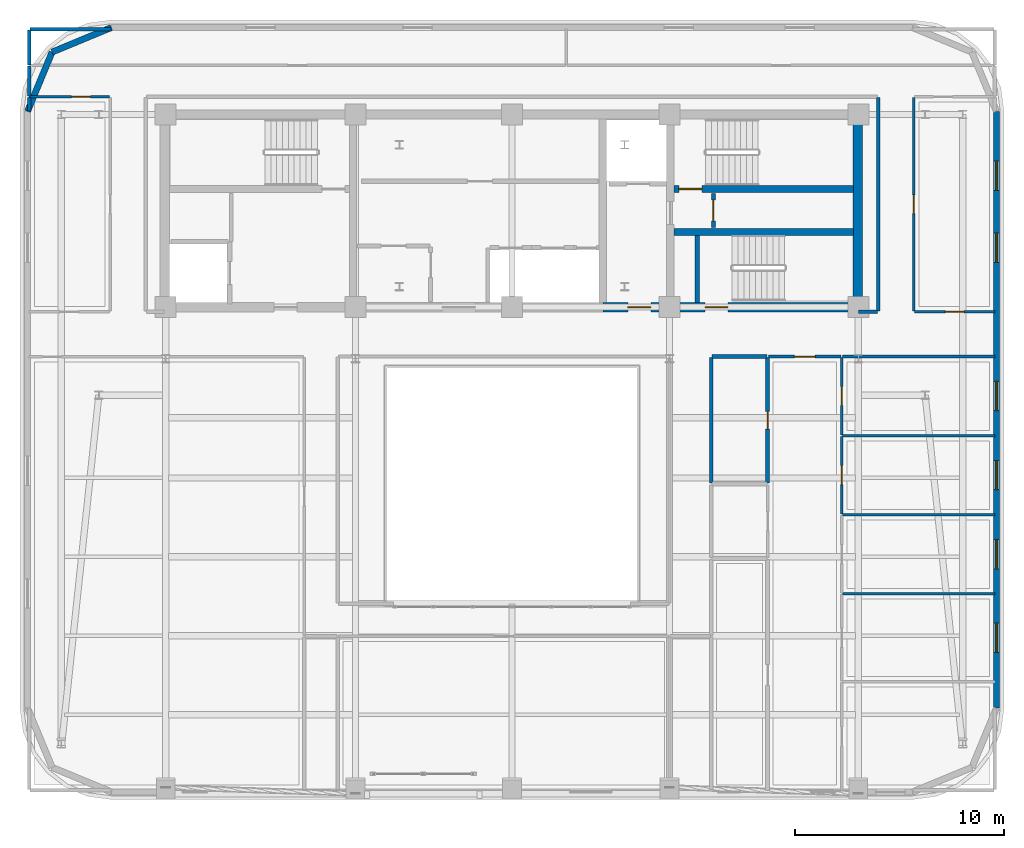
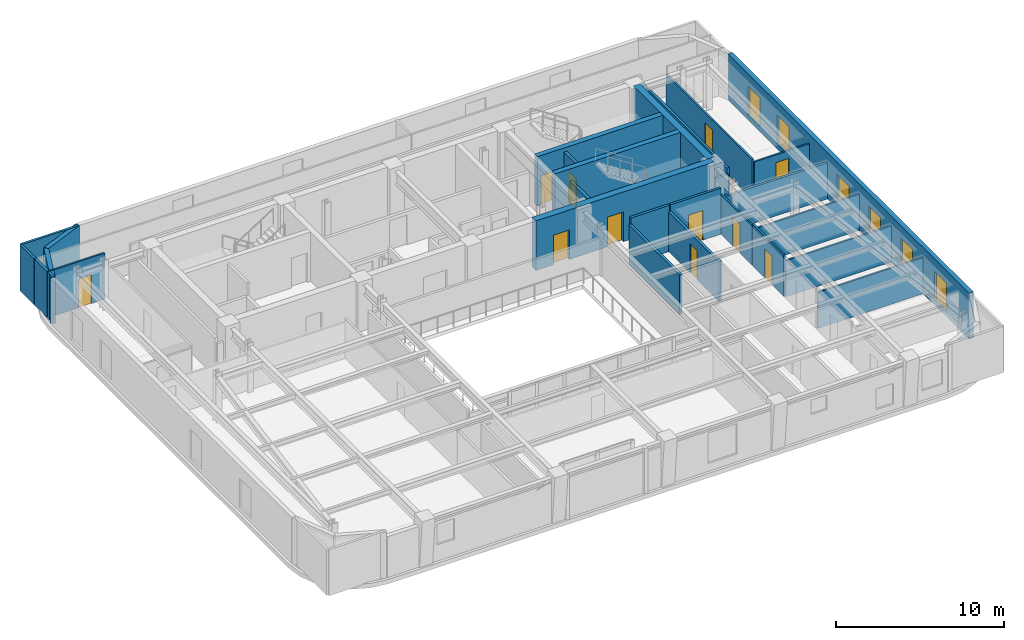
# One storey, part 8 of 13: 28 walls, 11 doors, 6 windows, 17 openings.
"""IFC4 building model written with IfcOpenShell, lengths in metres."""

from ifc_helpers import new_model, si_unit, direction, frame, frame_2d, origin, place, context, subcontext, project, spatial, rectangle, extrude, material, layer, layer_set, type_object, element, fill, save


model = new_model("IFC4")

# Units and contexts
model_context = context("Model", 3, precision=1e-05, world=origin(), true_north=direction((0.0, 1.0)))
body_context = subcontext(model_context, "Body", "Model", "MODEL_VIEW")
ifc_project = project(units=[si_unit("LENGTHUNIT", "METRE"), si_unit("AREAUNIT", "SQUARE_METRE"), si_unit("VOLUMEUNIT", "CUBIC_METRE"), si_unit("PLANEANGLEUNIT", "RADIAN"), si_unit("MASSUNIT", "GRAM", prefix="KILO")], contexts=[model_context])

# Site, building, storey
site_placement = place(None, origin())
site = spatial("IfcSite", under=ifc_project, at=site_placement, CompositionType="ELEMENT")
building_placement = place(site_placement, origin())
building = spatial("IfcBuilding", under=site, at=building_placement, Name="Zarnavel Station Tower", CompositionType="ELEMENT")
storey_placement = place(building_placement, frame((0.0, 0.0, 236.39990234375)))
storey = spatial("IfcBuildingStorey", under=building, at=storey_placement, Name="L64", CompositionType="ELEMENT", Elevation=236.39990234375)

# Wall, opening, door
ifc_material_1 = material(Name="Concrete C50/60", Category="concrete")
ifc_layer_1 = layer(ifc_material_1, 0.35009765625)
ifc_layer_set_1 = layer_set([ifc_layer_1], Name="CW_350")
wall_type_1 = type_object("IfcWallType", Name="CW_350", PredefinedType="SHEAR", material=ifc_layer_set_1)
wall_1_placement = place(storey_placement, frame((45.155029296875, 33.47998046875, 0.0), z_axis=(0.0, 0.0, 1.0), x_axis=(-1.0, 0.0, 0.0)))
wall_1 = element("IfcWall", 1, at=wall_1_placement, inside=storey, type_object=wall_type_1, Name="L64 Rear Core Shear Wall DIV-H2", PredefinedType="SHEAR", context=body_context, shape_type="SweptSolid", body=[
    extrude(rectangle(XDim=8.60009765625, YDim=0.35009765625, at=frame_2d((4.300048828125, 0.0))), origin(), (0.0, 0.0, 1.0), 3.60009765625),
])
opening_1_placement = place(wall_1_placement, frame((7.2548828125, 0.0, 0.0)))
opening_1 = element("IfcOpeningElement", 2, at=opening_1_placement, cuts=wall_1, Name="Opening FD01", PredefinedType="OPENING", context=body_context, shape_type="SweptSolid", body=[
    extrude(rectangle(XDim=1.10009765625, YDim=2.14990234375, at=frame_2d((0.550048828125, 1.074951171875))), frame((0.0, 0.18505859375, 0.0), z_axis=(0.0, -1.0, 0.0), x_axis=(1.0, 0.0, 0.0)), (0.0, 0.0, 1.0), 0.3701171875),
])
ifc_material_2 = material(Name="Painted Galvanised Steel and Hardwood Leaf", Category="steel")
door_type_1 = type_object("IfcDoorType", Name="ID_STAIR_1100", OperationType="NOTDEFINED", PredefinedType="DOOR", material=ifc_material_2)
door_1_placement = place(opening_1_placement, origin())
door_1 = element("IfcDoor", 3, at=door_1_placement, inside=storey, type_object=door_type_1, Name="L64 Stair ST2 Lobby Fire Door", OperationType="SINGLE_SWING_RIGHT", OverallHeight=2.14990234375, OverallWidth=1.10009765625, PredefinedType="DOOR", context=body_context, shape_type="SweptSolid", body=[
    extrude(rectangle(XDim=1.10009765625, YDim=2.14990234375, at=frame_2d((0.550048828125, 1.074951171875))), frame((0.0, 0.02490234375, 0.0), z_axis=(0.0, -1.0, 0.0), x_axis=(1.0, 0.0, 0.0)), (0.0, 0.0, 1.0), 0.050048828125),
])
fill(opening_1, door_1)

# Wall
wall_2_placement = place(storey_placement, frame((36.554931640625, 31.419921875, 0.0), z_axis=(0.0, 0.0, 1.0), x_axis=(1.0, 0.0, 0.0)))
element("IfcWall", 4, at=wall_2_placement, inside=storey, type_object=wall_type_1, Name="L64 Rear Core Shear Wall DIV-H3", PredefinedType="SHEAR", context=body_context, shape_type="SweptSolid", body=[
    extrude(rectangle(XDim=8.60009765625, YDim=0.35009765625, at=frame_2d((4.300048828125, 0.0))), origin(), (0.0, 0.0, 1.0), 3.60009765625),
])

# Wall, openings, doors
ifc_material_3 = material(Name="Concrete C50/60", Category="concrete")
ifc_layer_2 = layer(ifc_material_3, 0.449951171875)
ifc_layer_set_2 = layer_set([ifc_layer_2], Name="CW_450")
wall_type_2 = type_object("IfcWallType", Name="CW_450", PredefinedType="SHEAR", material=ifc_layer_set_2)
wall_3_placement = place(storey_placement, frame((45.3798828125, 27.820068359375, 0.0), z_axis=(0.0, 0.0, 1.0), x_axis=(-1.0, 0.0, 0.0)))
wall_3 = element("IfcWall", 5, at=wall_3_placement, inside=storey, type_object=wall_type_2, Name="L64 Rear Core Shear Wall S-E", PredefinedType="SHEAR", context=body_context, shape_type="SweptSolid", body=[
    extrude(rectangle(XDim=12.22998046875, YDim=0.449951171875, at=frame_2d((6.114990234375, 0.0))), origin(), (0.0, 0.0, 1.0), 3.60009765625),
])
opening_2_placement = place(wall_3_placement, frame((9.929931640625, 0.0, 0.0)))
opening_2 = element("IfcOpeningElement", 6, at=opening_2_placement, cuts=wall_3, Name="Opening FD01", PredefinedType="OPENING", context=body_context, shape_type="SweptSolid", body=[
    extrude(rectangle(XDim=1.10009765625, YDim=2.14990234375, at=frame_2d((0.550048828125, 1.074951171875))), frame((0.0, 0.23486328125, 0.0), z_axis=(0.0, -1.0, 0.0), x_axis=(1.0, 0.0, 0.0)), (0.0, 0.0, 1.0), 0.469970703125),
])
opening_3_placement = place(wall_3_placement, frame((6.22998046875, 0.0, 0.0)))
opening_3 = element("IfcOpeningElement", 7, at=opening_3_placement, cuts=wall_3, Name="Opening FD01", PredefinedType="OPENING", context=body_context, shape_type="SweptSolid", body=[
    extrude(rectangle(XDim=1.10009765625, YDim=2.14990234375, at=frame_2d((0.550048828125, 1.074951171875))), frame((0.0, 0.23486328125, 0.0), z_axis=(0.0, -1.0, 0.0), x_axis=(1.0, 0.0, 0.0)), (0.0, 0.0, 1.0), 0.469970703125),
])
door_2_placement = place(opening_2_placement, origin())
door_2 = element("IfcDoor", 8, at=door_2_placement, inside=storey, type_object=door_type_1, Name="L64 East Firefighting Lobby Door", OperationType="SINGLE_SWING_LEFT", OverallHeight=2.14990234375, OverallWidth=1.10009765625, PredefinedType="DOOR", context=body_context, shape_type="SweptSolid", body=[
    extrude(rectangle(XDim=1.10009765625, YDim=2.14990234375, at=frame_2d((0.550048828125, 1.074951171875))), frame((0.0, 0.02490234375, 0.0), z_axis=(0.0, -1.0, 0.0), x_axis=(1.0, 0.0, 0.0)), (0.0, 0.0, 1.0), 0.050048828125),
])
fill(opening_2, door_2)
door_3_placement = place(opening_3_placement, origin())
door_3 = element("IfcDoor", 9, at=door_3_placement, inside=storey, type_object=door_type_1, Name="L64 Stair ST3 Corridor Fire Door", OperationType="SINGLE_SWING_RIGHT", OverallHeight=2.14990234375, OverallWidth=1.10009765625, PredefinedType="DOOR", context=body_context, shape_type="SweptSolid", body=[
    extrude(rectangle(XDim=1.10009765625, YDim=2.14990234375, at=frame_2d((0.550048828125, 1.074951171875))), frame((0.0, 0.02490234375, 0.0), z_axis=(0.0, -1.0, 0.0), x_axis=(1.0, 0.0, 0.0)), (0.0, 0.0, 1.0), 0.050048828125),
])
fill(opening_3, door_3)

# Wall
wall_4_placement = place(storey_placement, frame((45.3798828125, 28.044921875, 0.0), z_axis=(0.0, 0.0, 1.0), x_axis=(0.0, 1.0, 0.0)))
element("IfcWall", 10, at=wall_4_placement, inside=storey, type_object=wall_type_2, Name="L64 Rear Core Shear Wall E", PredefinedType="SHEAR", context=body_context, shape_type="SweptSolid", body=[
    extrude(rectangle(XDim=8.780029296875, YDim=0.449951171875, at=frame_2d((4.39013671875, 0.0))), origin(), (0.0, 0.0, 1.0), 3.60009765625),
])

# Wall, openings, windows
ifc_material_4 = material(Name="Precast concrete C45/55 (Dark Basalt Finish)", Category="masonry")
ifc_layer_3 = layer(ifc_material_4, 0.300048828125)
ifc_layer_set_3 = layer_set([ifc_layer_3], Name="EW_BASALT_300")
wall_type_3 = type_object("IfcWallType", Name="EW_BASALT_300", PredefinedType="SOLIDWALL", material=ifc_layer_set_3)
wall_5_placement = place(storey_placement, frame((52.02001953125, 37.199951171875, 0.0), z_axis=(0.0, 0.0, 1.0), x_axis=(0.0, -1.0, 0.0)))
wall_5 = element("IfcWall", 11, at=wall_5_placement, inside=storey, type_object=wall_type_3, Name="L64 Exterior Basalt Masonry Frame Wall 03", PredefinedType="SOLIDWALL", context=body_context, shape_type="SweptSolid", body=[
    extrude(rectangle(XDim=28.599853515625, YDim=0.300048828125, at=frame_2d((14.2998046875, 0.0))), origin(), (0.0, 0.0, 1.0), 3.340087890625),
])
opening_4_placement = place(wall_5_placement, frame((2.3798828125, 0.0, 0.340087890625)))
opening_4 = element("IfcOpeningElement", 12, at=opening_4_placement, cuts=wall_5, Name="Opening WN04", PredefinedType="OPENING", context=body_context, shape_type="SweptSolid", body=[
    extrude(rectangle(XDim=1.39990234375, YDim=2.10009765625, at=frame_2d((0.699951171875, 1.050048828125))), frame((0.0, 0.159912109375, 0.0), z_axis=(0.0, -1.0, 0.0), x_axis=(1.0, 0.0, 0.0)), (0.0, 0.0, 1.0), 0.320068359375),
])
opening_5_placement = place(wall_5_placement, frame((5.840087890625, 0.0, 0.340087890625)))
opening_5 = element("IfcOpeningElement", 13, at=opening_5_placement, cuts=wall_5, Name="Opening WN04", PredefinedType="OPENING", context=body_context, shape_type="SweptSolid", body=[
    extrude(rectangle(XDim=1.39990234375, YDim=2.10009765625, at=frame_2d((0.699951171875, 1.050048828125))), frame((0.0, 0.159912109375, 0.0), z_axis=(0.0, -1.0, 0.0), x_axis=(1.0, 0.0, 0.0)), (0.0, 0.0, 1.0), 0.320068359375),
])
opening_6_placement = place(wall_5_placement, frame((24.529052734375, 0.0, 0.340087890625)))
opening_6 = element("IfcOpeningElement", 14, at=opening_6_placement, cuts=wall_5, Name="Opening WN04", PredefinedType="OPENING", context=body_context, shape_type="SweptSolid", body=[
    extrude(rectangle(XDim=1.39990234375, YDim=2.10009765625, at=frame_2d((0.699951171875, 1.050048828125))), frame((0.0, 0.159912109375, 0.0), z_axis=(0.0, -1.0, 0.0), x_axis=(1.0, 0.0, 0.0)), (0.0, 0.0, 1.0), 0.320068359375),
])
opening_7_placement = place(wall_5_placement, frame((20.52099609375, 0.0, 0.340087890625)))
opening_7 = element("IfcOpeningElement", 15, at=opening_7_placement, cuts=wall_5, Name="Opening WN04", PredefinedType="OPENING", context=body_context, shape_type="SweptSolid", body=[
    extrude(rectangle(XDim=1.39990234375, YDim=2.10009765625, at=frame_2d((0.699951171875, 1.050048828125))), frame((0.0, 0.159912109375, 0.0), z_axis=(0.0, -1.0, 0.0), x_axis=(1.0, 0.0, 0.0)), (0.0, 0.0, 1.0), 0.320068359375),
])
opening_8_placement = place(wall_5_placement, frame((16.73291015625, 0.0, 0.340087890625)))
opening_8 = element("IfcOpeningElement", 16, at=opening_8_placement, cuts=wall_5, Name="Opening WN04", PredefinedType="OPENING", context=body_context, shape_type="SweptSolid", body=[
    extrude(rectangle(XDim=1.39990234375, YDim=2.10009765625, at=frame_2d((0.699951171875, 1.050048828125))), frame((0.0, 0.159912109375, 0.0), z_axis=(0.0, -1.0, 0.0), x_axis=(1.0, 0.0, 0.0)), (0.0, 0.0, 1.0), 0.320068359375),
])
opening_9_placement = place(wall_5_placement, frame((12.944580078125, 0.0, 0.340087890625)))
opening_9 = element("IfcOpeningElement", 17, at=opening_9_placement, cuts=wall_5, Name="Opening WN04", PredefinedType="OPENING", context=body_context, shape_type="SweptSolid", body=[
    extrude(rectangle(XDim=1.39990234375, YDim=2.10009765625, at=frame_2d((0.699951171875, 1.050048828125))), frame((0.0, 0.159912109375, 0.0), z_axis=(0.0, -1.0, 0.0), x_axis=(1.0, 0.0, 0.0)), (0.0, 0.0, 1.0), 0.320068359375),
])
ifc_material_5 = material(Name="Thermally Broken Black Aluminium and Low-E Dark Glass", Category="aluminium")
window_type = type_object("IfcWindowType", Name="WN_1400x2100", PartitioningType="DOUBLE_PANEL_VERTICAL", PredefinedType="WINDOW", material=ifc_material_5)
window_1_placement = place(opening_4_placement, origin())
window_1 = element("IfcWindow", 18, at=window_1_placement, inside=storey, type_object=window_type, Name="L64 Recessed Facade Window 01", OverallHeight=2.10009765625, OverallWidth=1.39990234375, PartitioningType="SINGLE_PANEL", PredefinedType="WINDOW", context=body_context, shape_type="SweptSolid", body=[
    extrude(rectangle(XDim=1.39990234375, YDim=2.10009765625, at=frame_2d((0.699951171875, 1.050048828125))), frame((0.0, 0.030029296875, 0.0), z_axis=(0.0, -1.0, 0.0), x_axis=(1.0, 0.0, 0.0)), (0.0, 0.0, 1.0), 0.06005859375),
])
fill(opening_4, window_1)
window_2_placement = place(opening_5_placement, origin())
window_2 = element("IfcWindow", 19, at=window_2_placement, inside=storey, type_object=window_type, Name="L64 Recessed Facade Window 02", OverallHeight=2.10009765625, OverallWidth=1.39990234375, PartitioningType="SINGLE_PANEL", PredefinedType="WINDOW", context=body_context, shape_type="SweptSolid", body=[
    extrude(rectangle(XDim=1.39990234375, YDim=2.10009765625, at=frame_2d((0.699951171875, 1.050048828125))), frame((0.0, 0.030029296875, 0.0), z_axis=(0.0, -1.0, 0.0), x_axis=(1.0, 0.0, 0.0)), (0.0, 0.0, 1.0), 0.06005859375),
])
fill(opening_5, window_2)
window_3_placement = place(opening_6_placement, origin())
window_3 = element("IfcWindow", 20, at=window_3_placement, inside=storey, type_object=window_type, Name="L64 Recessed Facade Window 03", OverallHeight=2.10009765625, OverallWidth=1.39990234375, PartitioningType="SINGLE_PANEL", PredefinedType="WINDOW", context=body_context, shape_type="SweptSolid", body=[
    extrude(rectangle(XDim=1.39990234375, YDim=2.10009765625, at=frame_2d((0.699951171875, 1.050048828125))), frame((0.0, 0.030029296875, 0.0), z_axis=(0.0, -1.0, 0.0), x_axis=(1.0, 0.0, 0.0)), (0.0, 0.0, 1.0), 0.06005859375),
])
fill(opening_6, window_3)
window_4_placement = place(opening_7_placement, origin())
window_4 = element("IfcWindow", 21, at=window_4_placement, inside=storey, type_object=window_type, Name="L64 Recessed Facade Window 04", OverallHeight=2.10009765625, OverallWidth=1.39990234375, PartitioningType="SINGLE_PANEL", PredefinedType="WINDOW", context=body_context, shape_type="SweptSolid", body=[
    extrude(rectangle(XDim=1.39990234375, YDim=2.10009765625, at=frame_2d((0.699951171875, 1.050048828125))), frame((0.0, 0.030029296875, 0.0), z_axis=(0.0, -1.0, 0.0), x_axis=(1.0, 0.0, 0.0)), (0.0, 0.0, 1.0), 0.06005859375),
])
fill(opening_7, window_4)
window_5_placement = place(opening_8_placement, origin())
window_5 = element("IfcWindow", 22, at=window_5_placement, inside=storey, type_object=window_type, Name="L64 Recessed Facade Window 05", OverallHeight=2.10009765625, OverallWidth=1.39990234375, PartitioningType="SINGLE_PANEL", PredefinedType="WINDOW", context=body_context, shape_type="SweptSolid", body=[
    extrude(rectangle(XDim=1.39990234375, YDim=2.10009765625, at=frame_2d((0.699951171875, 1.050048828125))), frame((0.0, 0.030029296875, 0.0), z_axis=(0.0, -1.0, 0.0), x_axis=(1.0, 0.0, 0.0)), (0.0, 0.0, 1.0), 0.06005859375),
])
fill(opening_8, window_5)
window_6_placement = place(opening_9_placement, origin())
window_6 = element("IfcWindow", 23, at=window_6_placement, inside=storey, type_object=window_type, Name="L64 Recessed Facade Window 06", OverallHeight=2.10009765625, OverallWidth=1.39990234375, PartitioningType="SINGLE_PANEL", PredefinedType="WINDOW", context=body_context, shape_type="SweptSolid", body=[
    extrude(rectangle(XDim=1.39990234375, YDim=2.10009765625, at=frame_2d((0.699951171875, 1.050048828125))), frame((0.0, 0.030029296875, 0.0), z_axis=(0.0, -1.0, 0.0), x_axis=(1.0, 0.0, 0.0)), (0.0, 0.0, 1.0), 0.06005859375),
])
fill(opening_9, window_6)

# Walls
wall_6_placement = place(storey_placement, frame((6.75732421875, 40.04248046875, 0.0), z_axis=(0.0, 0.0, 1.0), x_axis=(0.923882414032, 0.382676475685, 0.0)))
element("IfcWall", 24, at=wall_6_placement, inside=storey, type_object=wall_type_3, Name="L64 Exterior Basalt Masonry Frame Wall 07", PredefinedType="SOLIDWALL", context=body_context, shape_type="SweptSolid", body=[
    extrude(rectangle(XDim=3.076904296875, YDim=0.300048828125, at=frame_2d((1.53857421875, 0.0))), origin(), (0.0, 0.0, 1.0), 3.340087890625),
])
wall_7_placement = place(storey_placement, frame((5.580078125, 37.199951171875, 0.0), z_axis=(0.0, 0.0, 1.0), x_axis=(0.382636798336, 0.92389884758, 0.0)))
element("IfcWall", 25, at=wall_7_placement, inside=storey, type_object=wall_type_3, Name="L64 Exterior Basalt Masonry Frame Wall 08", PredefinedType="SOLIDWALL", context=body_context, shape_type="SweptSolid", body=[
    extrude(rectangle(XDim=3.07666015625, YDim=0.300048828125, at=frame_2d((1.538330078125, 0.0))), origin(), (0.0, 0.0, 1.0), 3.340087890625),
])

# Wall, opening, door
ifc_material_6 = material(Name="Gypsum Twin-Stud Acoustic Fire Partition", Category="concrete")
ifc_layer_4 = layer(ifc_material_6, 0.159912109375)
ifc_layer_set_4 = layer_set([ifc_layer_4], Name="PT_DEMISE_160")
wall_type_4 = type_object("IfcWallType", Name="PT_DEMISE_160", PredefinedType="PARTITIONING", material=ifc_layer_set_4)
wall_8_placement = place(storey_placement, frame((41.090087890625, 25.449951171875, 0.0), z_axis=(0.0, 0.0, 1.0), x_axis=(1.0, 0.0, 0.0)))
wall_8 = element("IfcWall", 26, at=wall_8_placement, inside=storey, type_object=wall_type_4, Name="L64 Partition COR-S-UE1LV", PredefinedType="PARTITIONING", context=body_context, shape_type="SweptSolid", body=[
    extrude(rectangle(XDim=3.47900390625, YDim=0.159912109375, at=frame_2d((1.739501953125, 0.0))), origin(), (0.0, 0.0, 1.0), 3.340087890625),
])
opening_10_placement = place(wall_8_placement, frame((1.239501953125, 0.0, 0.0)))
opening_10 = element("IfcOpeningElement", 27, at=opening_10_placement, cuts=wall_8, Name="Opening FD02", PredefinedType="OPENING", context=body_context, shape_type="SweptSolid", body=[
    extrude(rectangle(XDim=1.0, YDim=2.14990234375, at=frame_2d((0.5, 1.074951171875))), frame((0.0, 0.08984375, 0.0), z_axis=(0.0, -1.0, 0.0), x_axis=(1.0, 0.0, 0.0)), (0.0, 0.0, 1.0), 0.179931640625),
])
ifc_material_7 = material(Name="Painted Galvanised Steel and Hardwood Leaf", Category="steel")
door_type_2 = type_object("IfcDoorType", Name="ID_ENTRY_1000", OperationType="NOTDEFINED", PredefinedType="DOOR", material=ifc_material_7)
door_4_placement = place(opening_10_placement, origin())
door_4 = element("IfcDoor", 28, at=door_4_placement, inside=storey, type_object=door_type_2, Name="L64 Door COR-S-UE1LV", OperationType="SINGLE_SWING_LEFT", OverallHeight=2.14990234375, OverallWidth=1.0, PredefinedType="DOOR", context=body_context, shape_type="SweptSolid", body=[
    extrude(rectangle(XDim=1.0, YDim=2.14990234375, at=frame_2d((0.5, 1.074951171875))), frame((0.0, 0.02490234375, 0.0), z_axis=(0.0, -1.0, 0.0), x_axis=(1.0, 0.0, 0.0)), (0.0, 0.0, 1.0), 0.050048828125),
])
fill(opening_10, door_4)

# Walls
wall_9_placement = place(storey_placement, frame((44.64892578125, 25.449951171875, 0.0), z_axis=(0.0, 0.0, 1.0), x_axis=(1.0, 0.0, 0.0)))
element("IfcWall", 29, at=wall_9_placement, inside=storey, type_object=wall_type_4, Name="L64 Partition COR-S-UE1B5", PredefinedType="PARTITIONING", context=body_context, shape_type="SweptSolid", body=[
    extrude(rectangle(XDim=7.291015625, YDim=0.159912109375, at=frame_2d((3.6455078125, 0.0))), origin(), (0.0, 0.0, 1.0), 2.6201171875),
])
wall_10_placement = place(storey_placement, frame((45.409912109375, 27.60009765625, 0.0), z_axis=(0.0, 0.0, 1.0), x_axis=(1.0, 0.0, 0.0)))
element("IfcWall", 30, at=wall_10_placement, inside=storey, type_object=wall_type_4, Name="L64 Enclosure Wall COR-S", PredefinedType="PARTITIONING", context=body_context, shape_type="SweptSolid", body=[
    extrude(rectangle(XDim=0.91015625, YDim=0.159912109375, at=frame_2d((0.455078125, 0.0))), origin(), (0.0, 0.0, 1.0), 2.41015625),
])
wall_11_placement = place(storey_placement, frame((46.35009765625, 27.6298828125, 0.0), z_axis=(0.0, 0.0, 1.0), x_axis=(0.0, 1.0, 0.0)))
element("IfcWall", 31, at=wall_11_placement, inside=storey, type_object=wall_type_4, Name="L64 Enclosure Wall COR-E", PredefinedType="PARTITIONING", context=body_context, shape_type="SweptSolid", body=[
    extrude(rectangle(XDim=10.240234375, YDim=0.159912109375, at=frame_2d((5.1201171875, 0.0))), origin(), (0.0, 0.0, 1.0), 2.820068359375),
])
wall_12_placement = place(storey_placement, frame((5.659912109375, 37.929931640625, 0.0), z_axis=(0.0, 0.0, 1.0), x_axis=(0.0, 1.0, 0.0)))
element("IfcWall", 32, at=wall_12_placement, inside=storey, type_object=wall_type_4, Name="L64 Enclosure Wall COR-N", PredefinedType="PARTITIONING", context=body_context, shape_type="SweptSolid", body=[
    extrude(rectangle(XDim=1.440185546875, YDim=0.159912109375, at=frame_2d((0.72021484375, 0.0))), origin(), (0.0, 0.0, 1.0), 3.340087890625),
])
wall_13_placement = place(storey_placement, frame((5.659912109375, 37.22998046875, 0.0), z_axis=(0.0, 0.0, 1.0), x_axis=(0.0, 1.0, 0.0)))
element("IfcWall", 33, at=wall_13_placement, inside=storey, type_object=wall_type_4, Name="L64 Enclosure Wall FNW", PredefinedType="PARTITIONING", context=body_context, shape_type="SweptSolid", body=[
    extrude(rectangle(XDim=0.64013671875, YDim=0.159912109375, at=frame_2d((0.320068359375, 0.0))), origin(), (0.0, 0.0, 1.0), 3.340087890625),
])
wall_14_placement = place(storey_placement, frame((5.68994140625, 41.139892578125, 0.0), z_axis=(0.0, 0.0, 1.0), x_axis=(1.0, 0.0, 0.0)))
element("IfcWall", 34, at=wall_14_placement, inside=storey, type_object=wall_type_4, Name="L64 Enclosure Wall NGYM", PredefinedType="PARTITIONING", context=body_context, shape_type="SweptSolid", body=[
    extrude(rectangle(XDim=3.880126953125, YDim=0.159912109375, at=frame_2d((1.93994140625, 0.0))), origin(), (0.0, 0.0, 1.0), 3.340087890625),
])
wall_15_placement = place(storey_placement, frame((5.659912109375, 39.429931640625, 0.0), z_axis=(0.0, 0.0, 1.0), x_axis=(0.0, 1.0, 0.0)))
element("IfcWall", 35, at=wall_15_placement, inside=storey, type_object=wall_type_4, Name="L64 Enclosure Wall NGYM", PredefinedType="PARTITIONING", context=body_context, shape_type="SweptSolid", body=[
    extrude(rectangle(XDim=1.68017578125, YDim=0.159912109375, at=frame_2d((0.840087890625, 0.0))), origin(), (0.0, 0.0, 1.0), 3.340087890625),
])

# Wall, opening, door
ifc_material_8 = material(Name="Gypsum Metal-Stud Interior Partition", Category="concrete")
ifc_layer_5 = layer(ifc_material_8, 0.1201171875)
ifc_layer_set_5 = layer_set([ifc_layer_5], Name="PT_ROOM_120")
wall_type_5 = type_object("IfcWallType", Name="PT_ROOM_120", PredefinedType="PARTITIONING", material=ifc_layer_set_5)
wall_16_placement = place(storey_placement, frame((48.090087890625, 27.60009765625, 0.0), z_axis=(0.0, 0.0, 1.0), x_axis=(1.0, 0.0, 0.0)))
wall_16 = element("IfcWall", 36, at=wall_16_placement, inside=storey, type_object=wall_type_5, Name="L64 Partition COR-S-FNE", PredefinedType="PARTITIONING", context=body_context, shape_type="SweptSolid", body=[
    extrude(rectangle(XDim=3.849853515625, YDim=0.1201171875, at=frame_2d((1.9248046875, 0.0))), origin(), (0.0, 0.0, 1.0), 2.670166015625),
])
opening_11_placement = place(wall_16_placement, frame((1.47509765625, 0.0, 0.0)))
opening_11 = element("IfcOpeningElement", 37, at=opening_11_placement, cuts=wall_16, Name="Opening ID01", PredefinedType="OPENING", context=body_context, shape_type="SweptSolid", body=[
    extrude(rectangle(XDim=0.89990234375, YDim=2.10009765625, at=frame_2d((0.449951171875, 1.050048828125))), frame((0.0, 0.070068359375, 0.0), z_axis=(0.0, -1.0, 0.0), x_axis=(1.0, 0.0, 0.0)), (0.0, 0.0, 1.0), 0.14013671875),
])
ifc_material_9 = material(Name="Painted Galvanised Steel and Hardwood Leaf", Category="steel")
door_type_3 = type_object("IfcDoorType", Name="ID_ROOM_900", OperationType="NOTDEFINED", PredefinedType="DOOR", material=ifc_material_9)
door_5_placement = place(opening_11_placement, origin())
door_5 = element("IfcDoor", 38, at=door_5_placement, inside=storey, type_object=door_type_3, Name="L64 Door COR-S-FNE", OperationType="SINGLE_SWING_LEFT", OverallHeight=2.10009765625, OverallWidth=0.89990234375, PredefinedType="DOOR", context=body_context, shape_type="SweptSolid", body=[
    extrude(rectangle(XDim=0.89990234375, YDim=2.10009765625, at=frame_2d((0.449951171875, 1.050048828125))), frame((0.0, 0.02490234375, 0.0), z_axis=(0.0, -1.0, 0.0), x_axis=(1.0, 0.0, 0.0)), (0.0, 0.0, 1.0), 0.050048828125),
])
fill(opening_11, door_5)

wall_17_placement = place(storey_placement, frame((48.050048828125, 27.639892578125, 0.0), z_axis=(0.0, 0.0, 1.0), x_axis=(0.0, 1.0, 0.0)))
wall_17 = element("IfcWall", 39, at=wall_17_placement, inside=storey, type_object=wall_type_5, Name="L64 Partition COR-E-FNE", PredefinedType="PARTITIONING", context=body_context, shape_type="SweptSolid", body=[
    extrude(rectangle(XDim=10.22021484375, YDim=0.1201171875, at=frame_2d((5.110107421875, 0.0))), origin(), (0.0, 0.0, 1.0), 2.820068359375),
])
opening_12_placement = place(wall_17_placement, frame((4.659912109375, 0.0, 0.0)))
opening_12 = element("IfcOpeningElement", 40, at=opening_12_placement, cuts=wall_17, Name="Opening ID01", PredefinedType="OPENING", context=body_context, shape_type="SweptSolid", body=[
    extrude(rectangle(XDim=0.89990234375, YDim=2.10009765625, at=frame_2d((0.449951171875, 1.050048828125))), frame((0.0, 0.070068359375, 0.0), z_axis=(0.0, -1.0, 0.0), x_axis=(1.0, 0.0, 0.0)), (0.0, 0.0, 1.0), 0.14013671875),
])
door_6_placement = place(opening_12_placement, origin())
door_6 = element("IfcDoor", 41, at=door_6_placement, inside=storey, type_object=door_type_3, Name="L64 Door COR-E-FNE", OperationType="SINGLE_SWING_LEFT", OverallHeight=2.10009765625, OverallWidth=0.89990234375, PredefinedType="DOOR", context=body_context, shape_type="SweptSolid", body=[
    extrude(rectangle(XDim=0.89990234375, YDim=2.10009765625, at=frame_2d((0.449951171875, 1.050048828125))), frame((0.0, 0.02490234375, 0.0), z_axis=(0.0, -1.0, 0.0), x_axis=(1.0, 0.0, 0.0)), (0.0, 0.0, 1.0), 0.050048828125),
])
fill(opening_12, door_6)

wall_18_placement = place(storey_placement, frame((5.659912109375, 37.89990234375, 0.0), z_axis=(0.0, 0.0, 1.0), x_axis=(1.0, 0.0, 0.0)))
wall_18 = element("IfcWall", 42, at=wall_18_placement, inside=storey, type_object=wall_type_5, Name="L64 Partition COR-N-FNW", PredefinedType="PARTITIONING", context=body_context, shape_type="SweptSolid", body=[
    extrude(rectangle(XDim=3.85009765625, YDim=0.1201171875, at=frame_2d((1.925048828125, 0.0))), origin(), (0.0, 0.0, 1.0), 3.340087890625),
])
opening_13_placement = place(wall_18_placement, frame((2.03125, 0.0, 0.0)))
opening_13 = element("IfcOpeningElement", 43, at=opening_13_placement, cuts=wall_18, Name="Opening ID01", PredefinedType="OPENING", context=body_context, shape_type="SweptSolid", body=[
    extrude(rectangle(XDim=0.89990234375, YDim=2.10009765625, at=frame_2d((0.449951171875, 1.050048828125))), frame((0.0, 0.070068359375, 0.0), z_axis=(0.0, -1.0, 0.0), x_axis=(1.0, 0.0, 0.0)), (0.0, 0.0, 1.0), 0.14013671875),
])
door_7_placement = place(opening_13_placement, origin())
door_7 = element("IfcDoor", 44, at=door_7_placement, inside=storey, type_object=door_type_3, Name="L64 Door COR-N-FNW", OperationType="SINGLE_SWING_RIGHT", OverallHeight=2.10009765625, OverallWidth=0.89990234375, PredefinedType="DOOR", context=body_context, shape_type="SweptSolid", body=[
    extrude(rectangle(XDim=0.89990234375, YDim=2.10009765625, at=frame_2d((0.449951171875, 1.050048828125))), frame((0.0, 0.02490234375, 0.0), z_axis=(0.0, -1.0, 0.0), x_axis=(1.0, 0.0, 0.0)), (0.0, 0.0, 1.0), 0.050048828125),
])
fill(opening_13, door_7)

wall_19_placement = place(storey_placement, frame((44.60888671875, 17.9130859375, 0.0), z_axis=(0.0, 0.0, 1.0), x_axis=(0.0, 1.0, 0.0)))
wall_19 = element("IfcWall", 45, at=wall_19_placement, inside=storey, type_object=wall_type_5, Name="L64 Partition UE1LV-UE1B4", PredefinedType="PARTITIONING", context=body_context, shape_type="SweptSolid", body=[
    extrude(rectangle(XDim=3.7080078125, YDim=0.1201171875, at=frame_2d((1.85400390625, 0.0))), origin(), (0.0, 0.0, 1.0), 3.010009765625),
])
opening_14_placement = place(wall_19_placement, frame((1.404052734375, 0.0, 0.0)))
opening_14 = element("IfcOpeningElement", 46, at=opening_14_placement, cuts=wall_19, Name="Opening ID01", PredefinedType="OPENING", context=body_context, shape_type="SweptSolid", body=[
    extrude(rectangle(XDim=0.89990234375, YDim=2.10009765625, at=frame_2d((0.449951171875, 1.050048828125))), frame((0.0, 0.070068359375, 0.0), z_axis=(0.0, -1.0, 0.0), x_axis=(1.0, 0.0, 0.0)), (0.0, 0.0, 1.0), 0.14013671875),
])
door_8_placement = place(opening_14_placement, origin())
door_8 = element("IfcDoor", 47, at=door_8_placement, inside=storey, type_object=door_type_3, Name="L64 Door UE1LV-UE1B4", OperationType="SINGLE_SWING_RIGHT", OverallHeight=2.10009765625, OverallWidth=0.89990234375, PredefinedType="DOOR", context=body_context, shape_type="SweptSolid", body=[
    extrude(rectangle(XDim=0.89990234375, YDim=2.10009765625, at=frame_2d((0.449951171875, 1.050048828125))), frame((0.0, 0.02490234375, 0.0), z_axis=(0.0, -1.0, 0.0), x_axis=(1.0, 0.0, 0.0)), (0.0, 0.0, 1.0), 0.050048828125),
])
fill(opening_14, door_8)

wall_20_placement = place(storey_placement, frame((44.60888671875, 21.700927734375, 0.0), z_axis=(0.0, 0.0, 1.0), x_axis=(0.0, 1.0, 0.0)))
wall_20 = element("IfcWall", 48, at=wall_20_placement, inside=storey, type_object=wall_type_5, Name="L64 Partition UE1LV-UE1B5", PredefinedType="PARTITIONING", context=body_context, shape_type="SweptSolid", body=[
    extrude(rectangle(XDim=3.708984375, YDim=0.1201171875, at=frame_2d((1.8544921875, 0.0))), origin(), (0.0, 0.0, 1.0), 2.880126953125),
])
opening_15_placement = place(wall_20_placement, frame((1.404541015625, 0.0, 0.0)))
opening_15 = element("IfcOpeningElement", 49, at=opening_15_placement, cuts=wall_20, Name="Opening ID01", PredefinedType="OPENING", context=body_context, shape_type="SweptSolid", body=[
    extrude(rectangle(XDim=0.89990234375, YDim=2.10009765625, at=frame_2d((0.449951171875, 1.050048828125))), frame((0.0, 0.070068359375, 0.0), z_axis=(0.0, -1.0, 0.0), x_axis=(1.0, 0.0, 0.0)), (0.0, 0.0, 1.0), 0.14013671875),
])
door_9_placement = place(opening_15_placement, origin())
door_9 = element("IfcDoor", 50, at=door_9_placement, inside=storey, type_object=door_type_3, Name="L64 Door UE1LV-UE1B5", OperationType="SINGLE_SWING_LEFT", OverallHeight=2.10009765625, OverallWidth=0.89990234375, PredefinedType="DOOR", context=body_context, shape_type="SweptSolid", body=[
    extrude(rectangle(XDim=0.89990234375, YDim=2.10009765625, at=frame_2d((0.449951171875, 1.050048828125))), frame((0.0, 0.02490234375, 0.0), z_axis=(0.0, -1.0, 0.0), x_axis=(1.0, 0.0, 0.0)), (0.0, 0.0, 1.0), 0.050048828125),
])
fill(opening_15, door_9)

# Walls
for number, where, z_axis, x_axis, name in (
    (51, (44.64892578125, 14.0849609375, 0.0), (0.0, 0.0, 1.0), (1.0, 0.0, 0.0), "L64 Partition UE1B2-UE1B3"),
    (52, (44.64892578125, 17.873046875, 0.0), (0.0, 0.0, 1.0), (1.0, 0.0, 0.0), "L64 Partition UE1B3-UE1B4"),
    (53, (44.64892578125, 21.660888671875, 0.0), (0.0, 0.0, 1.0), (1.0, 0.0, 0.0), "L64 Partition UE1B4-UE1B5"),
):
    element("IfcWall", number, at=place(storey_placement, frame(where, z_axis=z_axis, x_axis=x_axis)), inside=storey, type_object=wall_type_5, Name=name, PredefinedType="PARTITIONING", context=body_context, shape_type="SweptSolid", body=[
        extrude(rectangle(XDim=7.291015625, YDim=0.1201171875, at=frame_2d((3.6455078125, 0.0))), origin(), (0.0, 0.0, 1.0), 2.6201171875),
    ])
ifc_material_10 = material(Name="Precast concrete C45/55 (Fire Shaft Blockwork)", Category="masonry")
ifc_layer_6 = layer(ifc_material_10, 0.199951171875)
ifc_layer_set_6 = layer_set([ifc_layer_6], Name="PT_SHAFT_200")
wall_type_6 = type_object("IfcWallType", Name="PT_SHAFT_200", PredefinedType="PARTITIONING", material=ifc_layer_set_6)
wall_21_placement = place(storey_placement, frame((37.679931640625, 28.044921875, 0.0), z_axis=(0.0, 0.0, 1.0), x_axis=(0.0, 1.0, 0.0)))
element("IfcWall", 54, at=wall_21_placement, inside=storey, type_object=wall_type_6, Name="L64 Stair ST3 West Shaft Wall", PredefinedType="PARTITIONING", context=body_context, shape_type="SweptSolid", body=[
    extrude(rectangle(XDim=3.205078125, YDim=0.199951171875, at=frame_2d((1.6025390625, 0.0))), origin(), (0.0, 0.0, 1.0), 2.72021484375),
])

# Wall, opening, door
wall_22_placement = place(storey_placement, frame((38.449951171875, 31.639892578125, 0.0), z_axis=(0.0, 0.0, 1.0), x_axis=(0.0, 1.0, 0.0)))
wall_22 = element("IfcWall", 55, at=wall_22_placement, inside=storey, type_object=wall_type_6, Name="L64 Partition ESTV-CEA", PredefinedType="PARTITIONING", context=body_context, shape_type="SweptSolid", body=[
    extrude(rectangle(XDim=1.6201171875, YDim=0.199951171875, at=frame_2d((0.81005859375, 0.0))), origin(), (0.0, 0.0, 1.0), 3.340087890625),
])
opening_16_placement = place(wall_22_placement, frame((0.31005859375, 0.0, 0.0)))
opening_16 = element("IfcOpeningElement", 56, at=opening_16_placement, cuts=wall_22, Name="Opening FD02", PredefinedType="OPENING", context=body_context, shape_type="SweptSolid", body=[
    extrude(rectangle(XDim=1.0, YDim=2.14990234375, at=frame_2d((0.5, 1.074951171875))), frame((0.0, 0.10986328125, 0.0), z_axis=(0.0, -1.0, 0.0), x_axis=(1.0, 0.0, 0.0)), (0.0, 0.0, 1.0), 0.219970703125),
])
door_10_placement = place(opening_16_placement, origin())
door_10 = element("IfcDoor", 57, at=door_10_placement, inside=storey, type_object=door_type_2, Name="L64 Door ESTV-CEA", OperationType="SINGLE_SWING_RIGHT", OverallHeight=2.14990234375, OverallWidth=1.0, PredefinedType="DOOR", context=body_context, shape_type="SweptSolid", body=[
    extrude(rectangle(XDim=1.0, YDim=2.14990234375, at=frame_2d((0.5, 1.074951171875))), frame((0.0, 0.02490234375, 0.0), z_axis=(0.0, -1.0, 0.0), x_axis=(1.0, 0.0, 0.0)), (0.0, 0.0, 1.0), 0.050048828125),
])
fill(opening_16, door_10)

# Walls
ifc_material_11 = material(Name="Moisture-Resistant Plumbing Chase Wall", Category="concrete")
ifc_layer_7 = layer(ifc_material_11, 0.179931640625)
ifc_layer_set_7 = layer_set([ifc_layer_7], Name="PW_PLUMB_180")
wall_type_7 = type_object("IfcWallType", Name="PW_PLUMB_180", PredefinedType="PLUMBINGWALL", material=ifc_layer_set_7)
wall_23_placement = place(storey_placement, frame((38.389892578125, 25.449951171875, 0.0), z_axis=(0.0, 0.0, 1.0), x_axis=(1.0, 0.0, 0.0)))
element("IfcWall", 58, at=wall_23_placement, inside=storey, type_object=wall_type_7, Name="L64 Partition COR-S-UE1BA", PredefinedType="PLUMBINGWALL", context=body_context, shape_type="SweptSolid", body=[
    extrude(rectangle(XDim=2.6201171875, YDim=0.179931640625, at=frame_2d((1.31005859375, 0.0))), origin(), (0.0, 0.0, 1.0), 3.340087890625),
])
wall_24_placement = place(storey_placement, frame((38.35009765625, 19.37890625, 0.0), z_axis=(0.0, 0.0, 1.0), x_axis=(0.0, 1.0, 0.0)))
element("IfcWall", 59, at=wall_24_placement, inside=storey, type_object=wall_type_7, Name="L64 Partition COR-AE-UE1BA", PredefinedType="PLUMBINGWALL", context=body_context, shape_type="SweptSolid", body=[
    extrude(rectangle(XDim=6.031005859375, YDim=0.179931640625, at=frame_2d((3.015625, 0.0))), origin(), (0.0, 0.0, 1.0), 2.880126953125),
])

# Wall, opening, door
wall_25_placement = place(storey_placement, frame((41.050048828125, 19.37890625, 0.0), z_axis=(0.0, 0.0, 1.0), x_axis=(0.0, 1.0, 0.0)))
wall_25 = element("IfcWall", 60, at=wall_25_placement, inside=storey, type_object=wall_type_7, Name="L64 Partition UE1LV-UE1BA", PredefinedType="PLUMBINGWALL", context=body_context, shape_type="SweptSolid", body=[
    extrude(rectangle(XDim=6.031005859375, YDim=0.179931640625, at=frame_2d((3.015625, 0.0))), origin(), (0.0, 0.0, 1.0), 2.880126953125),
])
opening_17_placement = place(wall_25_placement, frame((2.590576171875, 0.0, 0.0)))
opening_17 = element("IfcOpeningElement", 61, at=opening_17_placement, cuts=wall_25, Name="Opening ID02", PredefinedType="OPENING", context=body_context, shape_type="SweptSolid", body=[
    extrude(rectangle(XDim=0.85009765625, YDim=2.10009765625, at=frame_2d((0.425048828125, 1.050048828125))), frame((0.0, 0.099853515625, 0.0), z_axis=(0.0, -1.0, 0.0), x_axis=(1.0, 0.0, 0.0)), (0.0, 0.0, 1.0), 0.199951171875),
])
ifc_material_12 = material(Name="Painted Galvanised Steel and Hardwood Leaf", Category="steel")
door_type_4 = type_object("IfcDoorType", Name="ID_BATH_850", OperationType="NOTDEFINED", PredefinedType="DOOR", material=ifc_material_12)
door_11_placement = place(opening_17_placement, origin())
door_11 = element("IfcDoor", 62, at=door_11_placement, inside=storey, type_object=door_type_4, Name="L64 Door UE1LV-UE1BA", OperationType="SINGLE_SWING_RIGHT", OverallHeight=2.10009765625, OverallWidth=0.85009765625, PredefinedType="DOOR", context=body_context, shape_type="SweptSolid", body=[
    extrude(rectangle(XDim=0.85009765625, YDim=2.10009765625, at=frame_2d((0.425048828125, 1.050048828125))), frame((0.0, 0.02490234375, 0.0), z_axis=(0.0, -1.0, 0.0), x_axis=(1.0, 0.0, 0.0)), (0.0, 0.0, 1.0), 0.050048828125),
])
fill(opening_17, door_11)

save(model, "model.ifc")
